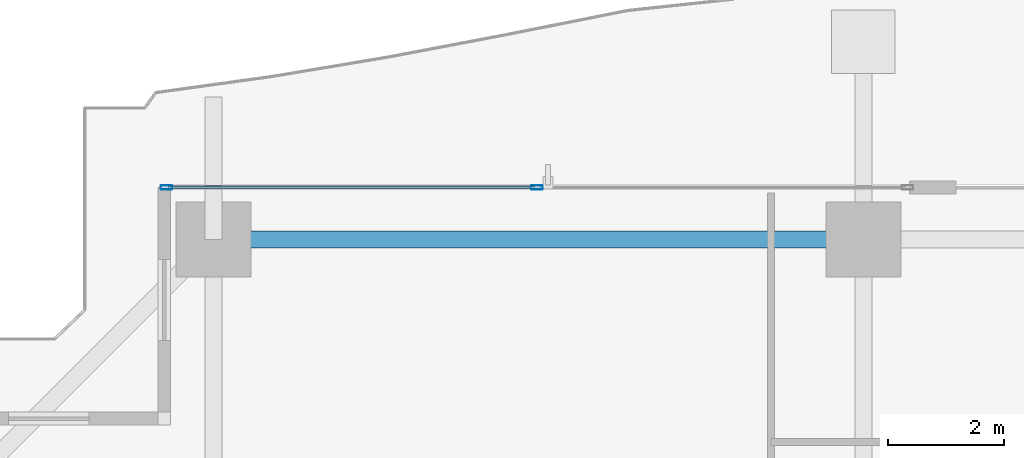
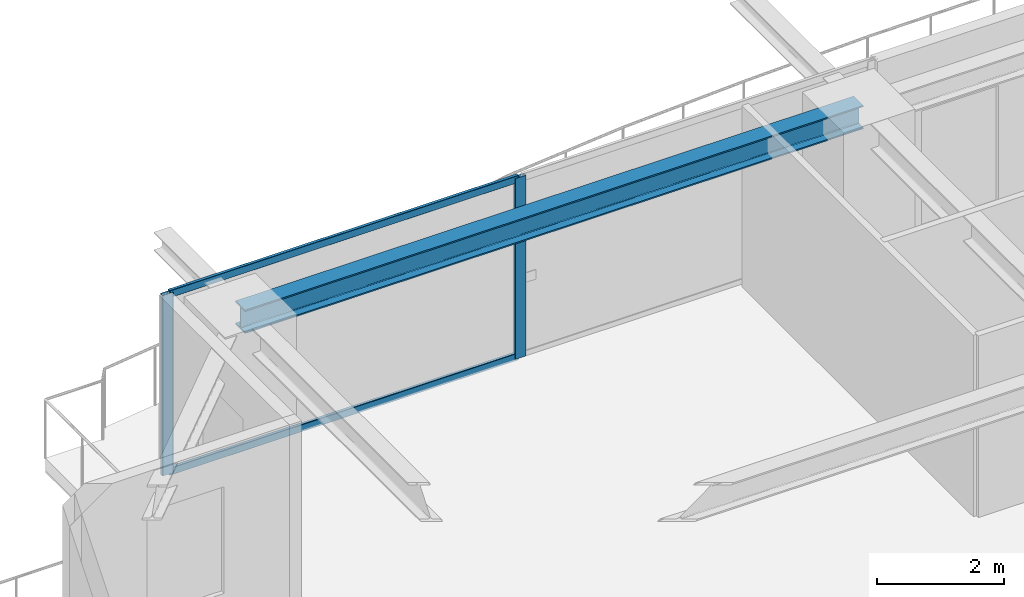
# One storey, part 17 of 34: 4 members, 1 beam, 1 element without a shape of its own.
"""IFC4 building model written with IfcOpenShell, lengths in metres."""

from ifc_helpers import new_model, si_unit, direction, frame, origin, origin_2d, place, context, subcontext, project, spatial, hollow_rectangle, i_section, extrude, source, transform, mapped, material, layer, layer_set, material_profile, profile_set, type_object, element, aggregate, save


model = new_model("IFC4")

# Units and contexts
model_context = context("Model", 3, precision=1e-05, world=origin(), true_north=direction((0.0, 1.0)))
body_context = subcontext(model_context, "Body", "Model", "MODEL_VIEW")
ifc_project = project(units=[si_unit("LENGTHUNIT", "METRE"), si_unit("AREAUNIT", "SQUARE_METRE"), si_unit("VOLUMEUNIT", "CUBIC_METRE"), si_unit("PLANEANGLEUNIT", "RADIAN"), si_unit("MASSUNIT", "GRAM", prefix="KILO")], contexts=[model_context])

# Site, building, storey
site_placement = place(None, origin())
site = spatial("IfcSite", under=ifc_project, at=site_placement, CompositionType="ELEMENT")
building_placement = place(site_placement, origin())
building = spatial("IfcBuilding", under=site, at=building_placement, Name="Serunith Strait Residences", CompositionType="ELEMENT")
storey_placement = place(building_placement, frame((0.0, 0.0, 135.14990234375)))
storey = spatial("IfcBuildingStorey", under=building, at=storey_placement, Name="L33", CompositionType="ELEMENT", Elevation=135.14990234375)

# Beam
ifc_material_1 = material(Name="Steel S355J2", Category="steel")
ifc_material_profile_1 = material_profile(ifc_material_1, i_section(OverallWidth=0.300048828125, OverallDepth=0.449951171875, WebThickness=0.013916015625, FlangeThickness=0.02587890625, FilletRadius=0.027099609375, at=origin_2d()), Name="HEB 450")
ifc_profile_set_1 = profile_set([ifc_material_profile_1], Name="Steel S355J2")
beam_type = type_object("IfcBeamType", Name="BM-HEB450", PredefinedType="BEAM", material=ifc_profile_set_1)
shared_shape_1 = source(origin(), body_context, "Body", "SweptSolid", [
    extrude(i_section(OverallWidth=0.300048828125, OverallDepth=0.449951171875, WebThickness=0.013916015625, FlangeThickness=0.02587890625, FilletRadius=0.027099609375, at=origin_2d()), origin(), (0.0, 0.0, 1.0), 11.25),
])
beam_placement = place(storey_placement, frame((27.89990234375, 48.10009765625, 3.26220703125), z_axis=(-1.0, 0.0, 0.0), x_axis=(0.0, -1.0, 0.0)))
element("IfcBeam", 1, at=beam_placement, inside=storey, type_object=beam_type, Name="L33 Perimeter Ring Beam 11", PredefinedType="BEAM", context=body_context, shape_type="MappedRepresentation", body=[
    mapped(shared_shape_1, transform((0.0, 0.0, 0.0), scale=1.0)),
])

# Curtain wall, members
ifc_material_2 = material(Name="Pale-Champagne Anodised Aluminium", Category="aluminium")
ifc_layer = layer(ifc_material_2, 0.199951171875, Name="Pale-Champagne Anodised Aluminium")
ifc_layer_set = layer_set([ifc_layer], Name="Pale-Champagne Anodised Aluminium")
curtain_wall_type = type_object("IfcCurtainWallType", Name="CW-SYS2", PredefinedType="NOTDEFINED", material=ifc_layer_set)
curtain_wall_placement = place(storey_placement, origin())
curtain_wall = element("IfcCurtainWall", 2, at=curtain_wall_placement, inside=storey, type_object=curtain_wall_type, Name="L33 N Unitised Fritted Curtain Wall", PredefinedType="NOTDEFINED")
ifc_material_profile_2 = material_profile(ifc_material_2, hollow_rectangle(XDim=0.070068359375, YDim=0.199951171875, WallThickness=0.00390625, InnerFilletRadius=0.006103515625, OuterFilletRadius=0.010009765625, at=origin_2d()), Name="ALU 200x70x4")
ifc_profile_set_2 = profile_set([ifc_material_profile_2], Name="Pale-Champagne Anodised Aluminium")
member_type_1 = type_object("IfcMemberType", Name="CW-SYS2-MULL", PredefinedType="MULLION", material=ifc_profile_set_2)
shared_shape_2 = source(origin(), body_context, "Body", "SweptSolid", [
    extrude(hollow_rectangle(XDim=0.070068359375, YDim=0.199951171875, WallThickness=0.00390625, InnerFilletRadius=0.006103515625, OuterFilletRadius=0.010009765625, at=origin_2d()), origin(), (0.0, 0.0, 1.0), 3.47509765625),
])
member_1_placement = place(storey_placement, frame((22.25, 49.0, 0.0), z_axis=(0.0, 0.0, 1.0), x_axis=(0.0, -1.0, 0.0)))
member_1 = element("IfcMember", 3, at=member_1_placement, type_object=member_type_1, Name="CW-2 mullion 2", PredefinedType="MULLION", context=body_context, shape_type="MappedRepresentation", body=[
    mapped(shared_shape_2, transform((0.0, 0.0, 0.0), scale=1.0)),
])
member_2_placement = place(storey_placement, frame((15.8349609375, 49.0, 0.0), z_axis=(0.0, 0.0, 1.0), x_axis=(0.0, -1.0, 0.0)))
member_2 = element("IfcMember", 4, at=member_2_placement, type_object=member_type_1, Name="CW-2 mullion 3", PredefinedType="MULLION", context=body_context, shape_type="MappedRepresentation", body=[
    mapped(shared_shape_2, transform((0.0, 0.0, 0.0), scale=1.0)),
])
ifc_material_profile_3 = material_profile(ifc_material_2, hollow_rectangle(XDim=0.06005859375, YDim=0.139892578125, WallThickness=0.00341796875, InnerFilletRadius=0.00537109375, OuterFilletRadius=0.0087890625, at=origin_2d()), Name="ALU 140x60x3.5")
ifc_profile_set_3 = profile_set([ifc_material_profile_3], Name="Pale-Champagne Anodised Aluminium")
member_type_2 = type_object("IfcMemberType", Name="CW-SYS2-TRAN", PredefinedType="USERDEFINED", material=ifc_profile_set_3)
shared_shape_3 = source(origin(), body_context, "Body", "SweptSolid", [
    extrude(hollow_rectangle(XDim=0.06005859375, YDim=0.139892578125, WallThickness=0.00341796875, InnerFilletRadius=0.00537109375, OuterFilletRadius=0.0087890625, at=origin_2d()), origin(), (0.0, 0.0, 1.0), 6.344970703125),
])
member_3_placement = place(storey_placement, frame((22.215087890625, 49.0, 0.030029296875), z_axis=(-1.0, 0.0, 0.0), x_axis=(0.0, -1.0, 0.0)))
member_3 = element("IfcMember", 5, at=member_3_placement, type_object=member_type_2, Name="CW-2 transom 2.1", ObjectType="TRANSOM", PredefinedType="USERDEFINED", context=body_context, shape_type="MappedRepresentation", body=[
    mapped(shared_shape_3, transform((0.0, 0.0, 0.0), scale=1.0)),
])
member_4_placement = place(storey_placement, frame((22.215087890625, 49.0, 3.445068359375), z_axis=(-1.0, 0.0, 0.0), x_axis=(0.0, -1.0, 0.0)))
member_4 = element("IfcMember", 6, at=member_4_placement, type_object=member_type_2, Name="CW-2 transom 2.2", ObjectType="TRANSOM", PredefinedType="USERDEFINED", context=body_context, shape_type="MappedRepresentation", body=[
    mapped(shared_shape_3, transform((0.0, 0.0, 0.0), scale=1.0)),
])
aggregate(curtain_wall, [member_1, member_2, member_3, member_4])

save(model, "model.ifc")
